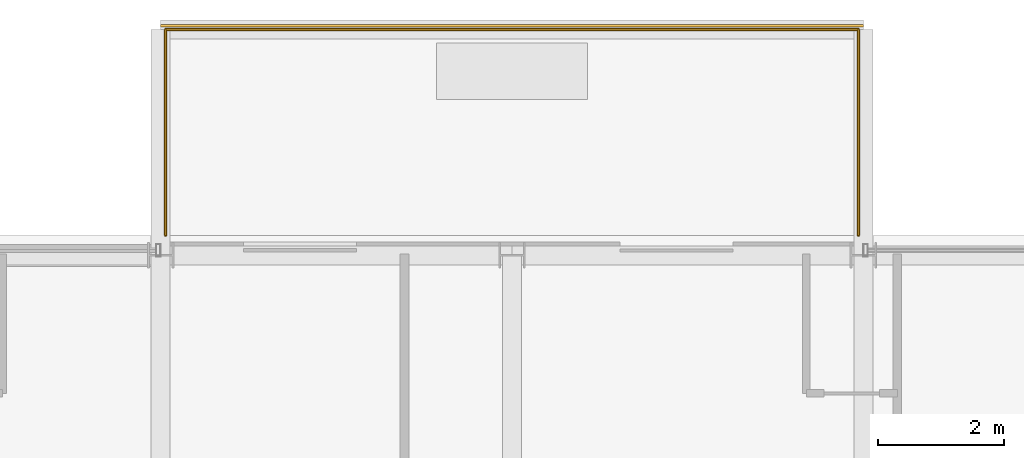
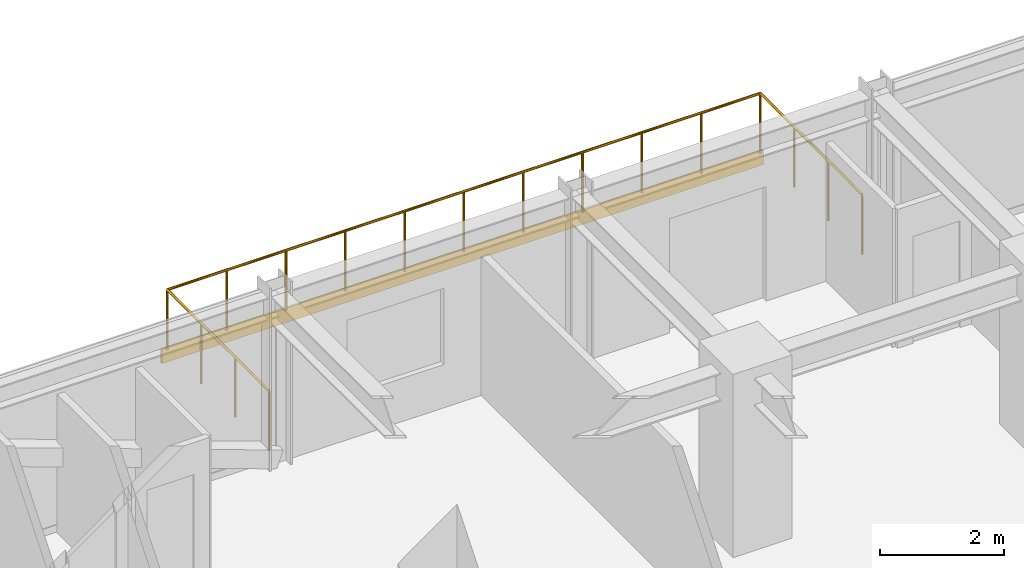
# One storey, part 40 of 41: 1 covering, 1 railing.
"""IFC4 building model written with IfcOpenShell, lengths in metres."""

from ifc_helpers import new_model, si_unit, direction, frame, origin, origin_2d, place, context, subcontext, project, spatial, rectangle, circle, extrude, source, transform, mapped, material, layer, layer_set, type_object, element, save


model = new_model("IFC4")

# Units and contexts
model_context = context("Model", 3, precision=1e-05, world=origin(), true_north=direction((0.0, 1.0)))
body_context = subcontext(model_context, "Body", "Model", "MODEL_VIEW")
ifc_project = project(units=[si_unit("LENGTHUNIT", "METRE"), si_unit("AREAUNIT", "SQUARE_METRE"), si_unit("VOLUMEUNIT", "CUBIC_METRE"), si_unit("PLANEANGLEUNIT", "RADIAN"), si_unit("MASSUNIT", "GRAM", prefix="KILO")], contexts=[model_context])

# Site, building, storey
site_placement = place(None, origin())
site = spatial("IfcSite", under=ifc_project, at=site_placement, CompositionType="ELEMENT")
building_placement = place(site_placement, origin())
building = spatial("IfcBuilding", under=site, at=building_placement, Name="Nahalor Promenade Grand Hotel", CompositionType="ELEMENT")
storey_placement = place(building_placement, frame((0.0, 0.0, 159.949951171875)))
storey = spatial("IfcBuildingStorey", under=building, at=storey_placement, Name="L40", CompositionType="ELEMENT", Elevation=159.949951171875)

# Railing
ifc_material = material(Name="Anodised Bronze Aluminium EN AW-6063 T6", Category="aluminium")
railing_type = type_object("IfcRailingType", Name="Bronze Balcony Guardrail 1200 mm", PredefinedType="GUARDRAIL", material=ifc_material)
railing_placement = place(storey_placement, frame((-8.320068359375, 22.800048828125, 0.0)))
element("IfcRailing", 1, at=railing_placement, inside=storey, type_object=railing_type, Name="L40 Balcony Guardrail 1", PredefinedType="GUARDRAIL", context=body_context, shape_type="SweptSolid", body=[
    extrude(circle(Radius=0.024048, at=origin_2d()), frame((0.0, 0.0, 1.17578125), z_axis=(0.0, 1.0, 0.0), x_axis=(-1.0, 0.0, 0.0)), (0.0, 0.0, 1.0), 3.278076171875),
    extrude(circle(Radius=0.024048, at=origin_2d()), frame((0.001953125, 3.280029296875, 1.17578125), z_axis=(1.0, 0.0, 0.0), x_axis=(0.0, 1.0, 0.0)), (0.0, 0.0, 1.0), 11.0361328125),
    extrude(circle(Radius=0.024048, at=origin_2d()), frame((11.0400390625, 3.278076171875, 1.17578125), z_axis=(0.0, -1.0, 0.0), x_axis=(1.0, 0.0, 0.0)), (0.0, 0.0, 1.0), 3.278076171875),
    extrude(circle(Radius=0.020996, at=origin_2d()), origin(), (0.0, 0.0, 1.0), 1.14990234375),
    extrude(circle(Radius=0.020996, at=origin_2d()), frame((0.0, 1.09326171875, 0.0)), (0.0, 0.0, 1.0), 1.14990234375),
    extrude(circle(Radius=0.020996, at=origin_2d()), frame((0.0, 2.186767578125, 0.0)), (0.0, 0.0, 1.0), 1.14990234375),
    extrude(circle(Radius=0.020996, at=origin_2d()), frame((0.0, 3.280029296875, 0.0)), (0.0, 0.0, 1.0), 1.14990234375),
    extrude(circle(Radius=0.020996, at=origin_2d()), frame((1.10400390625, 3.280029296875, 0.0)), (0.0, 0.0, 1.0), 1.14990234375),
    extrude(circle(Radius=0.020996, at=origin_2d()), frame((2.2080078125, 3.280029296875, 0.0)), (0.0, 0.0, 1.0), 1.14990234375),
    extrude(circle(Radius=0.020996, at=origin_2d()), frame((3.31201171875, 3.280029296875, 0.0)), (0.0, 0.0, 1.0), 1.14990234375),
    extrude(circle(Radius=0.020996, at=origin_2d()), frame((4.416015625, 3.280029296875, 0.0)), (0.0, 0.0, 1.0), 1.14990234375),
    extrude(circle(Radius=0.020996, at=origin_2d()), frame((5.52001953125, 3.280029296875, 0.0)), (0.0, 0.0, 1.0), 1.14990234375),
    extrude(circle(Radius=0.020996, at=origin_2d()), frame((6.6240234375, 3.280029296875, 0.0)), (0.0, 0.0, 1.0), 1.14990234375),
    extrude(circle(Radius=0.020996, at=origin_2d()), frame((7.72802734375, 3.280029296875, 0.0)), (0.0, 0.0, 1.0), 1.14990234375),
    extrude(circle(Radius=0.020996, at=origin_2d()), frame((8.83203125, 3.280029296875, 0.0)), (0.0, 0.0, 1.0), 1.14990234375),
    extrude(circle(Radius=0.020996, at=origin_2d()), frame((9.93603515625, 3.280029296875, 0.0)), (0.0, 0.0, 1.0), 1.14990234375),
    extrude(circle(Radius=0.020996, at=origin_2d()), frame((11.0400390625, 3.280029296875, 0.0)), (0.0, 0.0, 1.0), 1.14990234375),
    extrude(circle(Radius=0.020996, at=origin_2d()), frame((11.0400390625, 2.186767578125, 0.0)), (0.0, 0.0, 1.0), 1.14990234375),
    extrude(circle(Radius=0.020996, at=origin_2d()), frame((11.0400390625, 1.09326171875, 0.0)), (0.0, 0.0, 1.0), 1.14990234375),
    extrude(circle(Radius=0.020996, at=origin_2d()), frame((11.0400390625, 0.0, 0.0)), (0.0, 0.0, 1.0), 1.14990234375),
])

# Covering
ifc_layer = layer(ifc_material, 0.0400390625)
ifc_layer_set = layer_set([ifc_layer], Name="Anodised Bronze Aluminium EN AW-6063 T6")
covering_type = type_object("IfcCoveringType", Name="Bronze Spandrel Cladding Panel", PredefinedType="CLADDING", material=ifc_layer_set)
shared_shape = source(origin(), body_context, "Body", "SweptSolid", [
    extrude(rectangle(XDim=11.199951171875, YDim=0.0400390625, at=origin_2d()), origin(), (0.0, 0.0, 1.0), 0.280029296875),
])
covering_placement = place(storey_placement, frame((-2.800048828125, 26.139892578125, -0.27978515625), z_axis=(0.0, 0.0, 1.0), x_axis=(1.0, 0.0, 0.0)))
element("IfcCovering", 2, at=covering_placement, inside=storey, type_object=covering_type, Name="CL-L40-BALC-01", PredefinedType="CLADDING", context=body_context, shape_type="MappedRepresentation", body=[
    mapped(shared_shape, transform((0.0, 0.0, 0.0), scale=1.0)),
])

save(model, "model.ifc")
